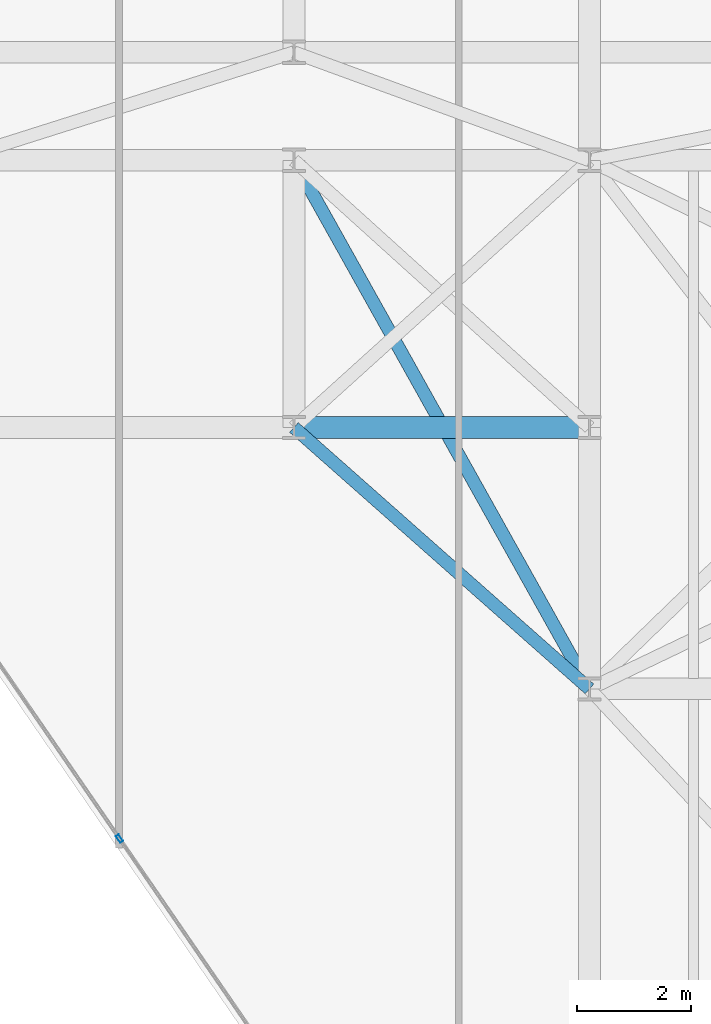
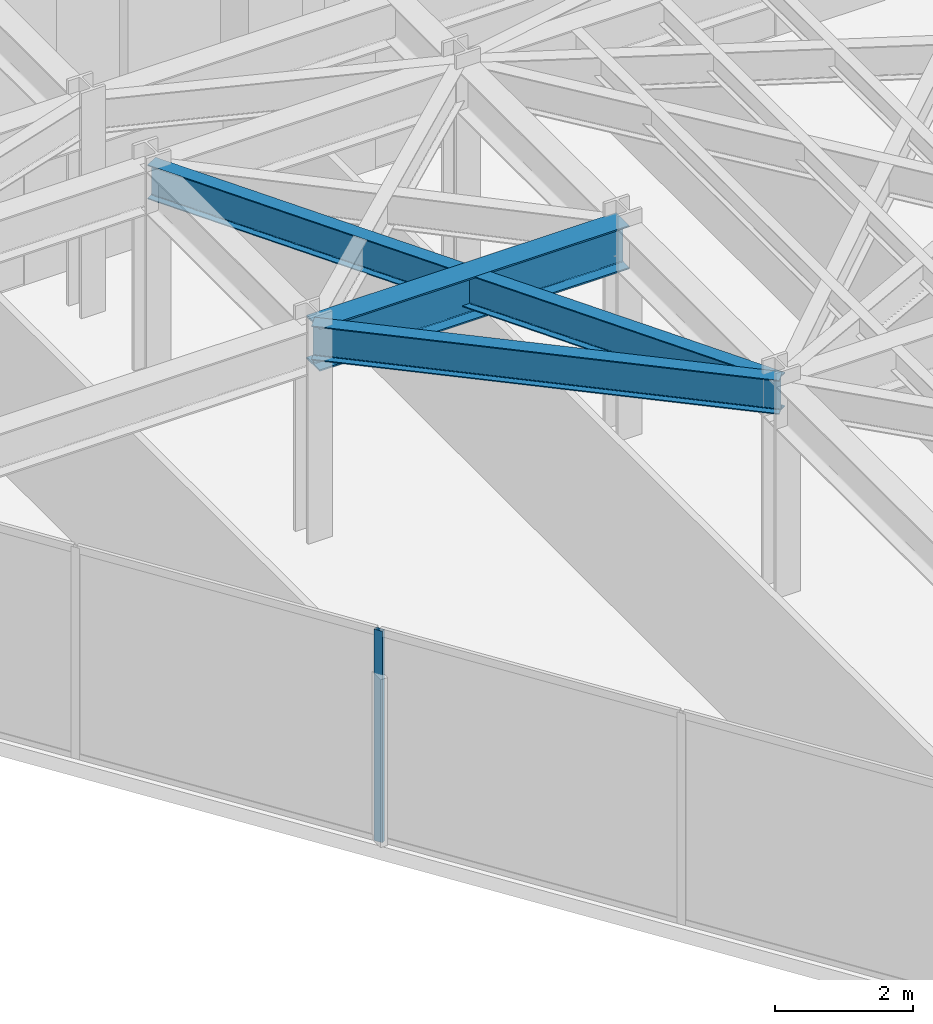
# One storey, part 12 of 21: 3 beams, 1 member, 1 element without a shape of its own.
"""IFC4 building model written with IfcOpenShell, lengths in metres."""

from ifc_helpers import new_model, si_unit, direction, frame, origin, origin_2d, place, context, subcontext, project, spatial, hollow_rectangle, i_section, extrude, material, layer, layer_set, material_profile, profile_set, type_object, element, aggregate, save


model = new_model("IFC4")

# Units and contexts
model_context = context("Model", 3, precision=1e-05, world=origin(), true_north=direction((0.0, 1.0)))
body_context = subcontext(model_context, "Body", "Model", "MODEL_VIEW")
ifc_project = project(units=[si_unit("LENGTHUNIT", "METRE"), si_unit("AREAUNIT", "SQUARE_METRE"), si_unit("VOLUMEUNIT", "CUBIC_METRE"), si_unit("PLANEANGLEUNIT", "RADIAN"), si_unit("MASSUNIT", "GRAM", prefix="KILO")], contexts=[model_context])

# Site, building, storey
site_placement = place(None, origin())
site = spatial("IfcSite", under=ifc_project, at=site_placement, CompositionType="ELEMENT")
building_placement = place(site_placement, origin())
building = spatial("IfcBuilding", under=site, at=building_placement, Name="Kravanh Interchange Tower", CompositionType="ELEMENT")
storey_placement = place(building_placement, frame((0.0, 0.0, 176.5)))
storey = spatial("IfcBuildingStorey", under=building, at=storey_placement, Name="L42", CompositionType="ELEMENT", Elevation=176.5)

# Curtain wall, member
ifc_material_1 = material(Name="Anodised Bronze Aluminium", Category="aluminium")
ifc_layer = layer(ifc_material_1, 0.179931640625)
ifc_layer_set = layer_set([ifc_layer], Name="Unitised Curtain Wall System CW-Z3 Upper Office")
curtain_wall_type = type_object("IfcCurtainWallType", Name="Unitised Curtain Wall System CW-Z3 Upper Office", PredefinedType="NOTDEFINED", material=ifc_layer_set)
curtain_wall_placement = place(storey_placement, origin())
curtain_wall = element("IfcCurtainWall", 1, at=curtain_wall_placement, inside=storey, type_object=curtain_wall_type, Name="L42 Unitised Curtain Wall CW-L42-03", PredefinedType="NOTDEFINED")
ifc_material_2 = material(Name="Anodised Bronze Aluminium", Category="aluminium")
ifc_material_profile_1 = material_profile(ifc_material_2, hollow_rectangle(XDim=0.06005859375, YDim=0.139892578125, WallThickness=0.00390625, at=origin_2d()), Name="ALU60X140X4")
ifc_profile_set_1 = profile_set([ifc_material_profile_1], Name="Anodised Bronze Aluminium")
member_type = type_object("IfcMemberType", Name="Curtain Wall Mullion ALU60X140X4 Bronze", PredefinedType="MULLION", material=ifc_profile_set_1)
member_placement = place(storey_placement, frame((47.7314453125, 19.56591796875, 0.0), z_axis=(0.0, 0.0, 1.0), x_axis=(-0.824042223035, -0.566528388217, 0.0)))
member = element("IfcMember", 2, at=member_placement, type_object=member_type, Name="CW-Z3 mullion 3", PredefinedType="MULLION", context=body_context, shape_type="SweptSolid", body=[
    extrude(hollow_rectangle(XDim=0.06005859375, YDim=0.139892578125, WallThickness=0.00390625, at=origin_2d()), origin(), (0.0, 0.0, 1.0), 3.7548828125),
])
aggregate(curtain_wall, [member])

# Beams
ifc_material_3 = material(Name="Structural Steel S355", Category="steel")
ifc_material_profile_2 = material_profile(ifc_material_3, i_section(OverallWidth=0.381103515625, OverallDepth=0.77294921875, WebThickness=0.0166015625, FlangeThickness=0.027099609375, FilletRadius=0.02490234375, at=origin_2d()), Name="W30X173")
ifc_profile_set_2 = profile_set([ifc_material_profile_2], Name="Structural Steel S355")
beam_type_1 = type_object("IfcBeamType", Name="Floor Beam W30X173 Structural Steel S355", PredefinedType="BEAM", material=ifc_profile_set_2)
beam_1_placement = place(storey_placement, frame((50.800048828125, 26.800048828125, 3.368408203125), z_axis=(1.0, 0.0, 0.0), x_axis=(0.0, 1.0, 0.0)))
element("IfcBeam", 3, at=beam_1_placement, inside=storey, type_object=beam_type_1, Name="L42 Primary Floor Girder 50", PredefinedType="BEAM", context=body_context, shape_type="SweptSolid", body=[
    extrude(i_section(OverallWidth=0.381103515625, OverallDepth=0.77294921875, WebThickness=0.0166015625, FlangeThickness=0.027099609375, FilletRadius=0.02490234375, at=origin_2d()), origin(), (0.0, 0.0, 1.0), 5.199951171875),
])
ifc_material_4 = material(Name="Structural Steel S355", Category="steel")
ifc_material_profile_3 = material_profile(ifc_material_4, i_section(OverallWidth=0.22802734375, OverallDepth=0.60791015625, WebThickness=0.01123046875, FlangeThickness=0.017333984375, FilletRadius=0.02197265625, at=origin_2d()), Name="W24X76")
ifc_profile_set_3 = profile_set([ifc_material_profile_3], Name="Structural Steel S355")
beam_type_2 = type_object("IfcBeamType", Name="Floor Spandrel W24X76 Structural Steel S355", PredefinedType="SPANDREL", material=ifc_profile_set_3)
beam_2_placement = place(storey_placement, frame((50.800048828125, 26.800048828125, 3.450927734375), z_axis=(0.74898649432, -0.662585263439, 0.0), x_axis=(0.662585263439, 0.74898649432, 0.0)))
element("IfcBeam", 4, at=beam_2_placement, inside=storey, type_object=beam_type_2, Name="L42 Perimeter Spandrel 51", PredefinedType="SPANDREL", context=body_context, shape_type="SweptSolid", body=[
    extrude(i_section(OverallWidth=0.22802734375, OverallDepth=0.60791015625, WebThickness=0.01123046875, FlangeThickness=0.017333984375, FilletRadius=0.02197265625, at=origin_2d()), origin(), (0.0, 0.0, 1.0), 6.942626953125),
])
beam_3_placement = place(storey_placement, frame((50.800048828125, 31.5, 3.450927734375), z_axis=(0.488026248114, -0.872828952975, 0.0), x_axis=(0.872828952975, 0.488026248114, 0.0)))
element("IfcBeam", 5, at=beam_3_placement, inside=storey, type_object=beam_type_2, Name="L42 Perimeter Spandrel 78", PredefinedType="SPANDREL", context=body_context, shape_type="SweptSolid", body=[
    extrude(i_section(OverallWidth=0.22802734375, OverallDepth=0.60791015625, WebThickness=0.01123046875, FlangeThickness=0.017333984375, FilletRadius=0.02197265625, at=origin_2d()), origin(), (0.0, 0.0, 1.0), 10.655029296875),
])

save(model, "model.ifc")
